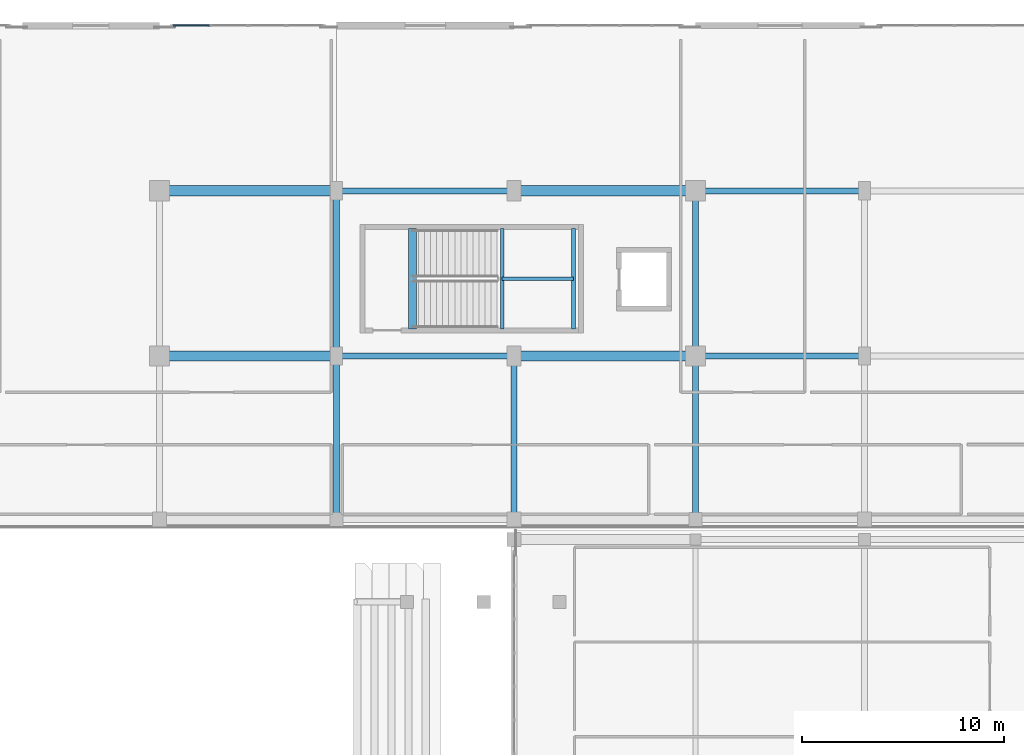
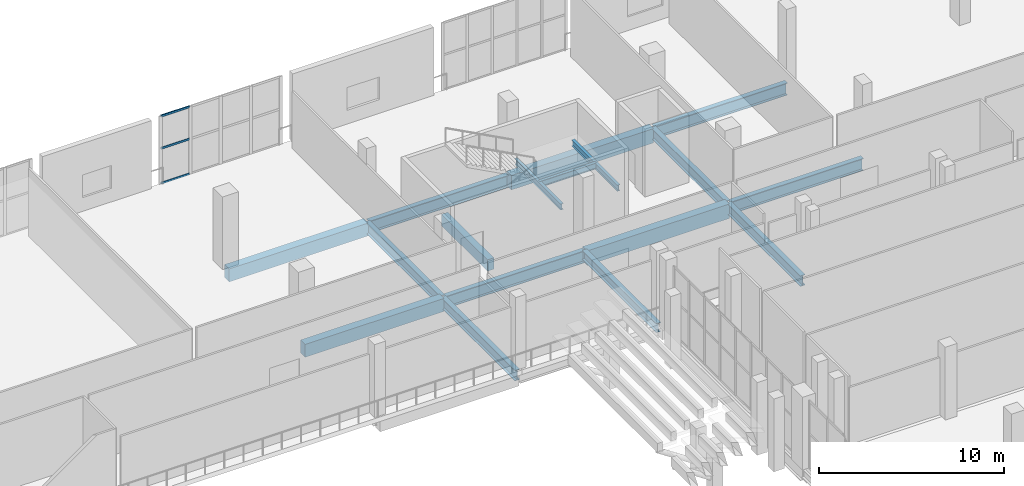
# One storey, part 68 of 142: 17 beams, 3 members, 1 element without a shape of its own.
"""IFC4 building model written with IfcOpenShell, lengths in metres."""

from ifc_helpers import new_model, si_unit, direction, frame, origin, origin_2d, place, context, subcontext, project, spatial, rectangle, i_section, extrude, material, material_profile, profile_set, type_object, element, aggregate, save


model = new_model("IFC4")

# Units and contexts
model_context = context("Model", 3, precision=1e-05, world=origin(), true_north=direction((0.0, 1.0)))
body_context = subcontext(model_context, "Body", "Model", "MODEL_VIEW")
ifc_project = project(units=[si_unit("LENGTHUNIT", "METRE"), si_unit("AREAUNIT", "SQUARE_METRE"), si_unit("VOLUMEUNIT", "CUBIC_METRE"), si_unit("PLANEANGLEUNIT", "RADIAN"), si_unit("MASSUNIT", "GRAM", prefix="KILO")], contexts=[model_context])

# Site, building, storey
site_placement = place(None, origin())
site = spatial("IfcSite", under=ifc_project, at=site_placement, CompositionType="ELEMENT")
building_placement = place(site_placement, origin())
building = spatial("IfcBuilding", under=site, at=building_placement, Name="Koshinbarg Plaza Stadium", CompositionType="ELEMENT")
storey_placement = place(building_placement, frame((0.0, 0.0, 10.199951171875)))
storey = spatial("IfcBuildingStorey", under=building, at=storey_placement, Name="L02", CompositionType="ELEMENT", Elevation=10.199951171875)

# Beams
ifc_material_1 = material(Name="Concrete C40/50", Category="concrete")
ifc_material_profile_1 = material_profile(ifc_material_1, rectangle(XDim=0.39990234375, YDim=0.75, at=origin_2d()), Name="RC 400x750")
ifc_profile_set_1 = profile_set([ifc_material_profile_1], Name="Concrete C40/50")
beam_type_1 = type_object("IfcBeamType", Name="BM-RCG-03", PredefinedType="USERDEFINED", material=ifc_profile_set_1)
beam_1_placement = place(storey_placement, frame((175.360107421875, 136.949951171875, -0.375), z_axis=(0.0, 1.0, 0.0), x_axis=(-1.0, 0.0, 0.0)))
element("IfcBeam", 1, at=beam_1_placement, inside=storey, type_object=beam_type_1, Name="L02 stair landing header beam C12", ObjectType="GIRDER", PredefinedType="USERDEFINED", context=body_context, shape_type="SweptSolid", body=[
    extrude(rectangle(XDim=0.39990234375, YDim=0.75, at=origin_2d()), origin(), (0.0, 0.0, 1.0), 4.969970703125),
])
ifc_material_profile_2 = material_profile(ifc_material_1, rectangle(XDim=0.5, YDim=0.85009765625, at=origin_2d()), Name="RC 500x850")
ifc_profile_set_2 = profile_set([ifc_material_profile_2], Name="Concrete C40/50")
beam_type_2 = type_object("IfcBeamType", Name="BM-RCG-05", PredefinedType="USERDEFINED", material=ifc_profile_set_2)
for number, where, z_axis, x_axis, name in (
    (2, (162.860107421875, 135.60009765625, -0.724853515625), (1.0, 0.0, 0.0), (0.0, 1.0, 0.0), "L02 X girder T/15-16"),
    (3, (162.860107421875, 143.800048828125, -0.724853515625), (1.0, 0.0, 0.0), (0.0, 1.0, 0.0), "L02 X girder U/15-16"),
):
    element("IfcBeam", number, at=place(storey_placement, frame(where, z_axis=z_axis, x_axis=x_axis)), inside=storey, type_object=beam_type_2, Name=name, ObjectType="GIRDER", PredefinedType="USERDEFINED", context=body_context, shape_type="SweptSolid", body=[
        extrude(rectangle(XDim=0.5, YDim=0.85009765625, at=origin_2d()), origin(), (0.0, 0.0, 1.0), 8.679931640625),
    ])
ifc_material_profile_3 = material_profile(ifc_material_1, rectangle(XDim=0.5, YDim=0.949951171875, at=origin_2d()), Name="RC 500x950")
ifc_profile_set_3 = profile_set([ifc_material_profile_3], Name="Concrete C40/50")
beam_type_3 = type_object("IfcBeamType", Name="BM-RCG-06", PredefinedType="USERDEFINED", material=ifc_profile_set_3)
for number, where, z_axis, x_axis, name in (
    (4, (180.4599609375, 135.60009765625, -0.77490234375), (1.0, 0.0, 0.0), (0.0, 1.0, 0.0), "L02 X girder T/17-18"),
    (5, (180.4599609375, 143.800048828125, -0.77490234375), (1.0, 0.0, 0.0), (0.0, 1.0, 0.0), "L02 X girder U/17-18"),
):
    element("IfcBeam", number, at=place(storey_placement, frame(where, z_axis=z_axis, x_axis=x_axis)), inside=storey, type_object=beam_type_3, Name=name, ObjectType="GIRDER", PredefinedType="USERDEFINED", context=body_context, shape_type="SweptSolid", body=[
        extrude(rectangle(XDim=0.5, YDim=0.949951171875, at=origin_2d()), origin(), (0.0, 0.0, 1.0), 8.880126953125),
    ])
ifc_material_2 = material(Name="Steel S355", Category="steel")
ifc_material_profile_4 = material_profile(ifc_material_2, i_section(OverallWidth=0.179931640625, OverallDepth=0.39990234375, WebThickness=0.008544921875, FlangeThickness=0.013427734375, at=origin_2d()), Name="IPE 400")
ifc_profile_set_4 = profile_set([ifc_material_profile_4], Name="Steel S355")
beam_type_4 = type_object("IfcBeamType", Name="BM-SBM-01", PredefinedType="BEAM", material=ifc_profile_set_4)
for number, where, z_axis, x_axis, name in (
    (6, (179.81005859375, 136.949951171875, 1.880126953125), (0.0, 1.0, 0.0), (-1.0, 0.0, 0.0), "L02 Protected Exit Stair C12 landing trimmer beam 1"),
    (7, (183.35009765625, 136.949951171875, 1.880126953125), (0.0, 1.0, 0.0), (-1.0, 0.0, 0.0), "L02 Protected Exit Stair C12 landing trimmer beam 2"),
):
    element("IfcBeam", number, at=place(storey_placement, frame(where, z_axis=z_axis, x_axis=x_axis)), inside=storey, type_object=beam_type_4, Name=name, PredefinedType="BEAM", context=body_context, shape_type="SweptSolid", body=[
        extrude(i_section(OverallWidth=0.179931640625, OverallDepth=0.39990234375, WebThickness=0.008544921875, FlangeThickness=0.013427734375, at=origin_2d()), origin(), (0.0, 0.0, 1.0), 4.969970703125),
    ])
beam_2_placement = place(storey_placement, frame((179.81005859375, 139.43505859375, 1.880126953125), z_axis=(1.0, 0.0, 0.0), x_axis=(0.0, 1.0, 0.0)))
element("IfcBeam", 8, at=beam_2_placement, inside=storey, type_object=beam_type_4, Name="L02 Protected Exit Stair C12 landing trimmer beam 3", PredefinedType="BEAM", context=body_context, shape_type="SweptSolid", body=[
    extrude(i_section(OverallWidth=0.179931640625, OverallDepth=0.39990234375, WebThickness=0.008544921875, FlangeThickness=0.013427734375, at=origin_2d()), origin(), (0.0, 0.0, 1.0), 3.5400390625),
])
ifc_material_profile_5 = material_profile(ifc_material_2, i_section(OverallWidth=0.300048828125, OverallDepth=0.60009765625, WebThickness=0.015380859375, FlangeThickness=0.030029296875, at=origin_2d()), Name="HEB 600")
ifc_profile_set_5 = profile_set([ifc_material_profile_5], Name="Steel S355")
beam_type_5 = type_object("IfcBeamType", Name="BM-SGIR-02", PredefinedType="USERDEFINED", material=ifc_profile_set_5)
beam_3_placement = place(storey_placement, frame((180.39990234375, 127.56005859375, -0.599853515625), z_axis=(0.0, 1.0, 0.0), x_axis=(-1.0, 0.0, 0.0)))
element("IfcBeam", 9, at=beam_3_placement, inside=storey, type_object=beam_type_5, Name="L02 Y girder 17/S-T", ObjectType="GIRDER", PredefinedType="USERDEFINED", context=body_context, shape_type="SweptSolid", body=[
    extrude(i_section(OverallWidth=0.300048828125, OverallDepth=0.60009765625, WebThickness=0.015380859375, FlangeThickness=0.030029296875, at=origin_2d()), origin(), (0.0, 0.0, 1.0), 7.97998046875),
])
ifc_material_profile_6 = material_profile(ifc_material_2, i_section(OverallWidth=0.300048828125, OverallDepth=0.699951171875, WebThickness=0.01708984375, FlangeThickness=0.031982421875, at=origin_2d()), Name="HEB 700")
ifc_profile_set_6 = profile_set([ifc_material_profile_6], Name="Steel S355")
beam_type_6 = type_object("IfcBeamType", Name="BM-SGIR-03", PredefinedType="USERDEFINED", material=ifc_profile_set_6)
beam_4_placement = place(storey_placement, frame((171.60009765625, 127.56005859375, -0.64990234375), z_axis=(0.0, 1.0, 0.0), x_axis=(-1.0, 0.0, 0.0)))
element("IfcBeam", 10, at=beam_4_placement, inside=storey, type_object=beam_type_6, Name="L02 Y girder 16/S-T", ObjectType="GIRDER", PredefinedType="USERDEFINED", context=body_context, shape_type="SweptSolid", body=[
    extrude(i_section(OverallWidth=0.300048828125, OverallDepth=0.699951171875, WebThickness=0.01708984375, FlangeThickness=0.031982421875, at=origin_2d()), origin(), (0.0, 0.0, 1.0), 7.97998046875),
])
beam_5_placement = place(storey_placement, frame((171.60009765625, 135.659912109375, -0.64990234375), z_axis=(0.0, 1.0, 0.0), x_axis=(-1.0, 0.0, 0.0)))
element("IfcBeam", 11, at=beam_5_placement, inside=storey, type_object=beam_type_6, Name="L02 Y girder 16/T-U", ObjectType="GIRDER", PredefinedType="USERDEFINED", context=body_context, shape_type="SweptSolid", body=[
    extrude(i_section(OverallWidth=0.300048828125, OverallDepth=0.699951171875, WebThickness=0.01708984375, FlangeThickness=0.031982421875, at=origin_2d()), origin(), (0.0, 0.0, 1.0), 8.080078125),
])
beam_6_placement = place(storey_placement, frame((189.39990234375, 127.56005859375, -0.64990234375), z_axis=(0.0, 1.0, 0.0), x_axis=(-1.0, 0.0, 0.0)))
element("IfcBeam", 12, at=beam_6_placement, inside=storey, type_object=beam_type_6, Name="L02 Y girder 18/S-T", ObjectType="GIRDER", PredefinedType="USERDEFINED", context=body_context, shape_type="SweptSolid", body=[
    extrude(i_section(OverallWidth=0.300048828125, OverallDepth=0.699951171875, WebThickness=0.01708984375, FlangeThickness=0.031982421875, at=origin_2d()), origin(), (0.0, 0.0, 1.0), 7.97998046875),
])
beam_7_placement = place(storey_placement, frame((189.39990234375, 135.659912109375, -0.64990234375), z_axis=(0.0, 1.0, 0.0), x_axis=(-1.0, 0.0, 0.0)))
element("IfcBeam", 13, at=beam_7_placement, inside=storey, type_object=beam_type_6, Name="L02 Y girder 18/T-U", ObjectType="GIRDER", PredefinedType="USERDEFINED", context=body_context, shape_type="SweptSolid", body=[
    extrude(i_section(OverallWidth=0.300048828125, OverallDepth=0.699951171875, WebThickness=0.01708984375, FlangeThickness=0.031982421875, at=origin_2d()), origin(), (0.0, 0.0, 1.0), 8.080078125),
])
ifc_material_profile_7 = material_profile(ifc_material_2, i_section(OverallWidth=0.300048828125, OverallDepth=0.800048828125, WebThickness=0.017578125, FlangeThickness=0.032958984375, at=origin_2d()), Name="HEB 800")
ifc_profile_set_7 = profile_set([ifc_material_profile_7], Name="Steel S355")
beam_type_7 = type_object("IfcBeamType", Name="BM-SGIR-04", PredefinedType="USERDEFINED", material=ifc_profile_set_7)
beam_8_placement = place(storey_placement, frame((171.659912109375, 135.60009765625, -0.699951171875), z_axis=(1.0, 0.0, 0.0), x_axis=(0.0, 1.0, 0.0)))
element("IfcBeam", 14, at=beam_8_placement, inside=storey, type_object=beam_type_7, Name="L02 X girder T/16-17", ObjectType="GIRDER", PredefinedType="USERDEFINED", context=body_context, shape_type="SweptSolid", body=[
    extrude(i_section(OverallWidth=0.300048828125, OverallDepth=0.800048828125, WebThickness=0.017578125, FlangeThickness=0.032958984375, at=origin_2d()), origin(), (0.0, 0.0, 1.0), 8.68017578125),
])
beam_9_placement = place(storey_placement, frame((189.4599609375, 135.60009765625, -0.699951171875), z_axis=(1.0, 0.0, 0.0), x_axis=(0.0, 1.0, 0.0)))
element("IfcBeam", 15, at=beam_9_placement, inside=storey, type_object=beam_type_7, Name="L02 X girder T/18-19", ObjectType="GIRDER", PredefinedType="USERDEFINED", context=body_context, shape_type="SweptSolid", body=[
    extrude(i_section(OverallWidth=0.300048828125, OverallDepth=0.800048828125, WebThickness=0.017578125, FlangeThickness=0.032958984375, at=origin_2d()), origin(), (0.0, 0.0, 1.0), 8.280029296875),
])
beam_10_placement = place(storey_placement, frame((171.659912109375, 143.800048828125, -0.699951171875), z_axis=(1.0, 0.0, 0.0), x_axis=(0.0, 1.0, 0.0)))
element("IfcBeam", 16, at=beam_10_placement, inside=storey, type_object=beam_type_7, Name="L02 X girder U/16-17", ObjectType="GIRDER", PredefinedType="USERDEFINED", context=body_context, shape_type="SweptSolid", body=[
    extrude(i_section(OverallWidth=0.300048828125, OverallDepth=0.800048828125, WebThickness=0.017578125, FlangeThickness=0.032958984375, at=origin_2d()), origin(), (0.0, 0.0, 1.0), 8.68017578125),
])
beam_11_placement = place(storey_placement, frame((189.4599609375, 143.800048828125, -0.699951171875), z_axis=(1.0, 0.0, 0.0), x_axis=(0.0, 1.0, 0.0)))
element("IfcBeam", 17, at=beam_11_placement, inside=storey, type_object=beam_type_7, Name="L02 X girder U/18-19", ObjectType="GIRDER", PredefinedType="USERDEFINED", context=body_context, shape_type="SweptSolid", body=[
    extrude(i_section(OverallWidth=0.300048828125, OverallDepth=0.800048828125, WebThickness=0.017578125, FlangeThickness=0.032958984375, at=origin_2d()), origin(), (0.0, 0.0, 1.0), 8.280029296875),
])

# Curtain wall, members
ifc_material_3 = material(Name="Thermally broken anodised aluminium and low-E double glazing", Category="aluminium")
curtain_wall_type = type_object("IfcCurtainWallType", Name="CW-SYS-04", PredefinedType="NOTDEFINED", material=ifc_material_3)
curtain_wall_placement = place(storey_placement, origin())
curtain_wall = element("IfcCurtainWall", 18, at=curtain_wall_placement, inside=storey, type_object=curtain_wall_type, Name="L02 unitised curtain wall CW-L02-051", PredefinedType="NOTDEFINED")
ifc_material_4 = material(Name="Anodised aluminium transom", Category="aluminium")
ifc_material_profile_8 = material_profile(ifc_material_4, rectangle(XDim=0.06005859375, YDim=0.1298828125, at=origin_2d()), Name="ALU 60x130")
ifc_profile_set_8 = profile_set([ifc_material_profile_8], Name="Anodised aluminium transom")
member_type = type_object("IfcMemberType", Name="CW-TRN-02", PredefinedType="USERDEFINED", material=ifc_profile_set_8)
member_1_placement = place(storey_placement, frame((163.47998046875, 152.0, 0.030029296875), z_axis=(1.0, 0.0, 0.0), x_axis=(0.0, 1.0, 0.0)))
member_1 = element("IfcMember", 19, at=member_1_placement, type_object=member_type, Name="CW04 transom 1.1", ObjectType="TRANSOM", PredefinedType="USERDEFINED", context=body_context, shape_type="SweptSolid", body=[
    extrude(rectangle(XDim=0.06005859375, YDim=0.1298828125, at=origin_2d()), origin(), (0.0, 0.0, 1.0), 1.800048828125),
])
member_2_placement = place(storey_placement, frame((163.47998046875, 152.0, 2.32958984375), z_axis=(1.0, 0.0, 0.0), x_axis=(0.0, 1.0, 0.0)))
member_2 = element("IfcMember", 20, at=member_2_placement, type_object=member_type, Name="CW04 transom 1.2", ObjectType="TRANSOM", PredefinedType="USERDEFINED", context=body_context, shape_type="SweptSolid", body=[
    extrude(rectangle(XDim=0.06005859375, YDim=0.1298828125, at=origin_2d()), origin(), (0.0, 0.0, 1.0), 1.800048828125),
])
member_3_placement = place(storey_placement, frame((163.47998046875, 152.0, 4.449951171875), z_axis=(1.0, 0.0, 0.0), x_axis=(0.0, 1.0, 0.0)))
member_3 = element("IfcMember", 21, at=member_3_placement, type_object=member_type, Name="CW04 transom 1.3", ObjectType="TRANSOM", PredefinedType="USERDEFINED", context=body_context, shape_type="SweptSolid", body=[
    extrude(rectangle(XDim=0.06005859375, YDim=0.1298828125, at=origin_2d()), origin(), (0.0, 0.0, 1.0), 1.800048828125),
])
aggregate(curtain_wall, [member_1, member_2, member_3])

save(model, "model.ifc")
